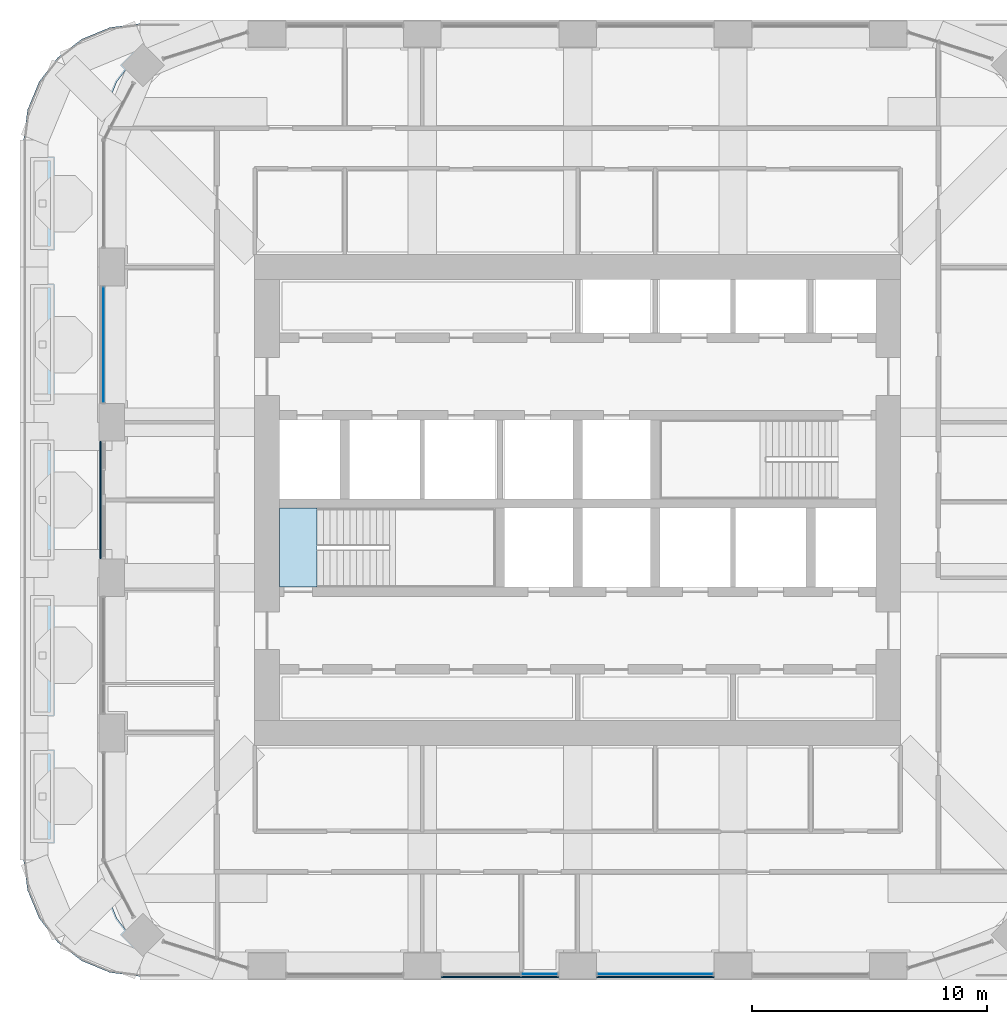
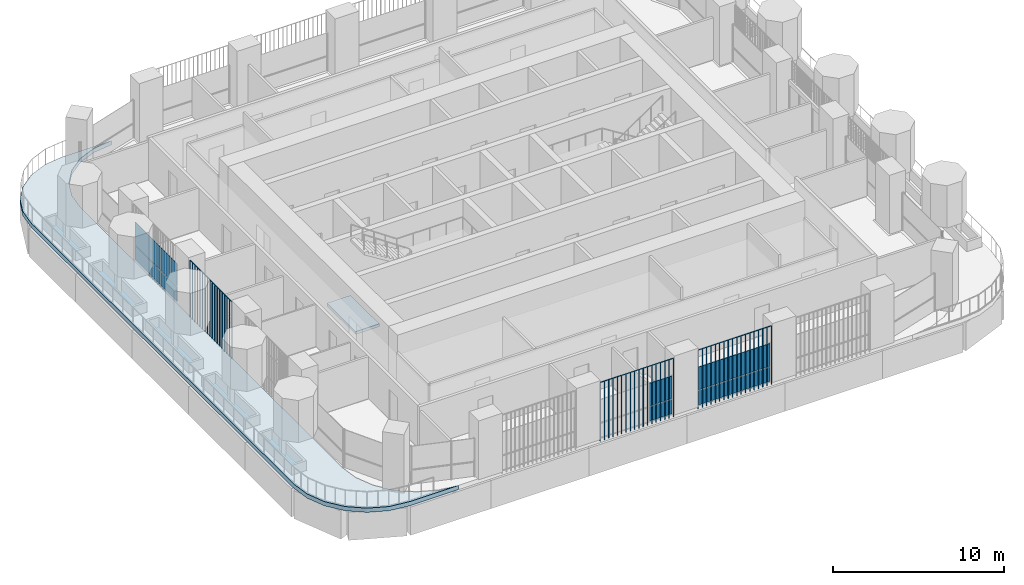
# One storey, part 9 of 24: 9 plates, 2 slabs, 4 elements without a shape of their own.
"""IFC4 building model written with IfcOpenShell, lengths in metres."""

from ifc_helpers import new_model, si_unit, direction, frame, origin, origin_2d, place, context, subcontext, project, spatial, polyline, rectangle, outline, extrude, material, layer, layer_set, type_object, element, aggregate, save


model = new_model("IFC4")

# Units and contexts
model_context = context("Model", 3, precision=1e-05, world=origin(), true_north=direction((0.0, 1.0)))
body_context = subcontext(model_context, "Body", "Model", "MODEL_VIEW")
ifc_project = project(units=[si_unit("LENGTHUNIT", "METRE"), si_unit("AREAUNIT", "SQUARE_METRE"), si_unit("VOLUMEUNIT", "CUBIC_METRE"), si_unit("PLANEANGLEUNIT", "RADIAN"), si_unit("MASSUNIT", "GRAM", prefix="KILO")], contexts=[model_context])

# Site, building, storey
site_placement = place(None, origin())
site = spatial("IfcSite", under=ifc_project, at=site_placement, CompositionType="ELEMENT")
building_placement = place(site_placement, origin())
building = spatial("IfcBuilding", under=site, at=building_placement, Name="Cobogo Forest Laboratory Tower", CompositionType="ELEMENT")
storey_placement = place(building_placement, frame((0.0, 0.0, 229.199951171875)))
storey = spatial("IfcBuildingStorey", under=building, at=storey_placement, Name="L52", CompositionType="ELEMENT", Elevation=229.199951171875)

# Curtain wall, plates
ifc_material_1 = material(Name="Aluminium curtain wall", Category="aluminium")
curtain_wall_type = type_object("IfcCurtainWallType", Name="CW-2 unitised curtain wall, solar control glazing, laboratory floors zones C and D", PredefinedType="USERDEFINED", material=ifc_material_1)
curtain_wall_1_placement = place(storey_placement, origin())
curtain_wall_1 = element("IfcCurtainWall", 1, at=curtain_wall_1_placement, inside=storey, type_object=curtain_wall_type, Name="Curtain wall 02 L52", ObjectType="UNITISED CURTAIN WALL", PredefinedType="USERDEFINED")
ifc_material_2 = material(Name="Solar control insulated glass", Category="glass")
ifc_layer_1 = layer(ifc_material_2, 0.031982421875)
ifc_layer_set_1 = layer_set([ifc_layer_1], Name="GP-2 solar control glass unit 32")
plate_type_1 = type_object("IfcPlateType", Name="GP-2 solar control glass unit 32", PredefinedType="CURTAIN_PANEL", material=ifc_layer_set_1)
plate_1_placement = place(storey_placement, frame((24.784912109375, 2.949951171875, 0.0), z_axis=(0.0, 0.0, 1.0), x_axis=(1.0, 0.0, 0.0)))
plate_1 = element("IfcPlate", 2, at=plate_1_placement, type_object=plate_type_1, Name="CW-2 panel 2.1", PredefinedType="CURTAIN_PANEL", context=body_context, shape_type="SweptSolid", body=[
    extrude(rectangle(XDim=1.510009765625, YDim=0.031982421875, at=origin_2d()), origin(), (0.0, 0.0, 1.0), 1.02001953125),
])
plate_2_placement = place(storey_placement, frame((24.784912109375, 2.949951171875, 1.080078125), z_axis=(0.0, 0.0, 1.0), x_axis=(1.0, 0.0, 0.0)))
plate_2 = element("IfcPlate", 3, at=plate_2_placement, type_object=plate_type_1, Name="CW-2 panel 2.2", PredefinedType="CURTAIN_PANEL", context=body_context, shape_type="SweptSolid", body=[
    extrude(rectangle(XDim=1.510009765625, YDim=0.031982421875, at=origin_2d()), origin(), (0.0, 0.0, 1.0), 1.6201171875),
])
aggregate(curtain_wall_1, [plate_1, plate_2])

curtain_wall_2_placement = place(storey_placement, origin())
curtain_wall_2 = element("IfcCurtainWall", 4, at=curtain_wall_2_placement, inside=storey, type_object=curtain_wall_type, Name="Curtain wall 03 L52", ObjectType="UNITISED CURTAIN WALL", PredefinedType="USERDEFINED")
plate_3_placement = place(storey_placement, frame((29.699951171875, 2.949951171875, 0.0), z_axis=(0.0, 0.0, 1.0), x_axis=(1.0, 0.0, 0.0)))
plate_3 = element("IfcPlate", 5, at=plate_3_placement, type_object=plate_type_1, Name="CW-2 panel 1.1", PredefinedType="CURTAIN_PANEL", context=body_context, shape_type="SweptSolid", body=[
    extrude(rectangle(XDim=4.8798828125, YDim=0.031982421875, at=origin_2d()), origin(), (0.0, 0.0, 1.0), 1.02001953125),
])
plate_4_placement = place(storey_placement, frame((29.699951171875, 2.949951171875, 1.080078125), z_axis=(0.0, 0.0, 1.0), x_axis=(1.0, 0.0, 0.0)))
plate_4 = element("IfcPlate", 6, at=plate_4_placement, type_object=plate_type_1, Name="CW-2 panel 1.2", PredefinedType="CURTAIN_PANEL", context=body_context, shape_type="SweptSolid", body=[
    extrude(rectangle(XDim=4.8798828125, YDim=0.031982421875, at=origin_2d()), origin(), (0.0, 0.0, 1.0), 1.6201171875),
])
aggregate(curtain_wall_2, [plate_3, plate_4])

curtain_wall_3_placement = place(storey_placement, origin())
curtain_wall_3 = element("IfcCurtainWall", 7, at=curtain_wall_3_placement, inside=storey, type_object=curtain_wall_type, Name="Curtain wall 21 L52", ObjectType="UNITISED CURTAIN WALL", PredefinedType="USERDEFINED")
plate_5_placement = place(storey_placement, frame((6.25, 29.699951171875, 0.0), z_axis=(0.0, 0.0, 1.0), x_axis=(0.0, -1.0, 0.0)))
plate_5 = element("IfcPlate", 8, at=plate_5_placement, type_object=plate_type_1, Name="CW-2 panel 1.1", PredefinedType="CURTAIN_PANEL", context=body_context, shape_type="SweptSolid", body=[
    extrude(rectangle(XDim=4.8798828125, YDim=0.031982421875, at=origin_2d()), origin(), (0.0, 0.0, 1.0), 1.02001953125),
])
plate_6_placement = place(storey_placement, frame((6.25, 29.699951171875, 1.080078125), z_axis=(0.0, 0.0, 1.0), x_axis=(0.0, -1.0, 0.0)))
plate_6 = element("IfcPlate", 9, at=plate_6_placement, type_object=plate_type_1, Name="CW-2 panel 1.2", PredefinedType="CURTAIN_PANEL", context=body_context, shape_type="SweptSolid", body=[
    extrude(rectangle(XDim=4.8798828125, YDim=0.031982421875, at=origin_2d()), origin(), (0.0, 0.0, 1.0), 1.6201171875),
])
aggregate(curtain_wall_3, [plate_5, plate_6])

# Stair, slab
ifc_material_3 = material(Name="Precast concrete HA-40 (C40/50)", Category="concrete")
stair_type = type_object("IfcStairType", Name="ST24 exit stair 24 risers", PredefinedType="HALF_TURN_STAIR", material=ifc_material_3)
stair_placement = place(storey_placement, origin())
stair = element("IfcStair", 10, at=stair_placement, inside=storey, type_object=stair_type, Name="Stair 1 L52 to L53", PredefinedType="HALF_TURN_STAIR")
ifc_material_4 = material(Name="Concrete HA-40 (C40/50)", Category="concrete")
ifc_layer_2 = layer(ifc_material_4, 0.199951171875)
ifc_layer_set_2 = layer_set([ifc_layer_2], Name="SL stair landing 200")
slab_type_1 = type_object("IfcSlabType", Name="SL stair landing 200", PredefinedType="LANDING", material=ifc_layer_set_2)
slab_1_placement = place(storey_placement, frame((0.0, 0.0, -0.199951171875)))
slab_1 = element("IfcSlab", 11, at=slab_1_placement, type_object=slab_type_1, Name="ST1 landing 1", PredefinedType="LANDING", context=body_context, shape_type="SweptSolid", body=[
    extrude(outline(polyline([(13.72509765625, 19.39990234375), (15.326904296875, 19.39990234375), (15.326904296875, 22.75), (13.72509765625, 22.75), (13.72509765625, 19.39990234375)])), origin(), (0.0, 0.0, 1.0), 0.199951171875),
])
aggregate(stair, [slab_1])

# Plates
ifc_material_5 = material(Name="Terracotta", Category="masonry")
plate_type_2 = type_object("IfcPlateType", Name="TB1 terracotta baguette screen", PredefinedType="USERDEFINED", material=ifc_material_5)
plate_7_placement = place(storey_placement, frame((20.63134765625, 2.822021484375, -0.14990234375)))
element("IfcPlate", 12, at=plate_7_placement, inside=storey, type_object=plate_type_2, Name="Baguette screen S2 L52", ObjectType="BAGUETTE SCREEN", PredefinedType="USERDEFINED", context=body_context, shape_type="SweptSolid", body=[
    extrude(outline(polyline([(0.02880859375, 0.011962890625), (0.011962890625, 0.02880859375), (-0.011962890625, 0.02880859375), (-0.02880859375, 0.011962890625), (-0.02880859375, -0.011962890625), (-0.011962890625, -0.02880859375), (0.011962890625, -0.02880859375), (0.02880859375, -0.011962890625), (0.02880859375, 0.011962890625)])), frame((0.0, 0.0, 4.168701171875), z_axis=(1.0, 0.0, 0.0), x_axis=(0.0, 1.0, 0.0)), (0.0, 0.0, 1.0), 4.9375),
    extrude(outline(polyline([(0.02880859375, 0.011962890625), (0.011962890625, 0.02880859375), (-0.011962890625, 0.02880859375), (-0.02880859375, 0.011962890625), (-0.02880859375, -0.011962890625), (-0.011962890625, -0.02880859375), (0.011962890625, -0.02880859375), (0.02880859375, -0.011962890625), (0.02880859375, 0.011962890625)])), origin(), (0.0, 0.0, 1.0), 4.137451171875),
    extrude(outline(polyline([(0.02880859375, 0.011962890625), (0.011962890625, 0.02880859375), (-0.011962890625, 0.02880859375), (-0.02880859375, 0.011962890625), (-0.02880859375, -0.011962890625), (-0.011962890625, -0.02880859375), (0.011962890625, -0.02880859375), (0.02880859375, -0.011962890625), (0.02880859375, 0.011962890625)])), frame((0.29052734375, 0.0, 0.0)), (0.0, 0.0, 1.0), 4.137451171875),
    extrude(outline(polyline([(0.02880859375, 0.011962890625), (0.011962890625, 0.02880859375), (-0.011962890625, 0.02880859375), (-0.02880859375, 0.011962890625), (-0.02880859375, -0.011962890625), (-0.011962890625, -0.02880859375), (0.011962890625, -0.02880859375), (0.02880859375, -0.011962890625), (0.02880859375, 0.011962890625)])), frame((0.580810546875, 0.0, 0.0)), (0.0, 0.0, 1.0), 4.137451171875),
    extrude(outline(polyline([(0.02880859375, 0.011962890625), (0.011962890625, 0.02880859375), (-0.011962890625, 0.02880859375), (-0.02880859375, 0.011962890625), (-0.02880859375, -0.011962890625), (-0.011962890625, -0.02880859375), (0.011962890625, -0.02880859375), (0.02880859375, -0.011962890625), (0.02880859375, 0.011962890625)])), frame((0.871337890625, 0.0, 0.0)), (0.0, 0.0, 1.0), 4.137451171875),
    extrude(outline(polyline([(0.02880859375, 0.011962890625), (0.011962890625, 0.02880859375), (-0.011962890625, 0.02880859375), (-0.02880859375, 0.011962890625), (-0.02880859375, -0.011962890625), (-0.011962890625, -0.02880859375), (0.011962890625, -0.02880859375), (0.02880859375, -0.011962890625), (0.02880859375, 0.011962890625)])), frame((1.161865234375, 0.0, 0.0)), (0.0, 0.0, 1.0), 4.137451171875),
    extrude(outline(polyline([(0.02880859375, 0.011962890625), (0.011962890625, 0.02880859375), (-0.011962890625, 0.02880859375), (-0.02880859375, 0.011962890625), (-0.02880859375, -0.011962890625), (-0.011962890625, -0.02880859375), (0.011962890625, -0.02880859375), (0.02880859375, -0.011962890625), (0.02880859375, 0.011962890625)])), frame((1.4521484375, 0.0, 0.0)), (0.0, 0.0, 1.0), 4.137451171875),
    extrude(outline(polyline([(0.02880859375, 0.011962890625), (0.011962890625, 0.02880859375), (-0.011962890625, 0.02880859375), (-0.02880859375, 0.011962890625), (-0.02880859375, -0.011962890625), (-0.011962890625, -0.02880859375), (0.011962890625, -0.02880859375), (0.02880859375, -0.011962890625), (0.02880859375, 0.011962890625)])), frame((1.74267578125, 0.0, 0.0)), (0.0, 0.0, 1.0), 4.137451171875),
    extrude(outline(polyline([(0.02880859375, 0.011962890625), (0.011962890625, 0.02880859375), (-0.011962890625, 0.02880859375), (-0.02880859375, 0.011962890625), (-0.02880859375, -0.011962890625), (-0.011962890625, -0.02880859375), (0.011962890625, -0.02880859375), (0.02880859375, -0.011962890625), (0.02880859375, 0.011962890625)])), frame((2.033203125, 0.0, 0.0)), (0.0, 0.0, 1.0), 4.137451171875),
    extrude(outline(polyline([(0.02880859375, 0.011962890625), (0.011962890625, 0.02880859375), (-0.011962890625, 0.02880859375), (-0.02880859375, 0.011962890625), (-0.02880859375, -0.011962890625), (-0.011962890625, -0.02880859375), (0.011962890625, -0.02880859375), (0.02880859375, -0.011962890625), (0.02880859375, 0.011962890625)])), frame((2.323486328125, 0.0, 0.0)), (0.0, 0.0, 1.0), 4.137451171875),
    extrude(outline(polyline([(0.02880859375, 0.011962890625), (0.011962890625, 0.02880859375), (-0.011962890625, 0.02880859375), (-0.02880859375, 0.011962890625), (-0.02880859375, -0.011962890625), (-0.011962890625, -0.02880859375), (0.011962890625, -0.02880859375), (0.02880859375, -0.011962890625), (0.02880859375, 0.011962890625)])), frame((2.614013671875, 0.0, 0.0)), (0.0, 0.0, 1.0), 4.137451171875),
    extrude(outline(polyline([(0.02880859375, 0.011962890625), (0.011962890625, 0.02880859375), (-0.011962890625, 0.02880859375), (-0.02880859375, 0.011962890625), (-0.02880859375, -0.011962890625), (-0.011962890625, -0.02880859375), (0.011962890625, -0.02880859375), (0.02880859375, -0.011962890625), (0.02880859375, 0.011962890625)])), frame((2.904296875, 0.0, 0.0)), (0.0, 0.0, 1.0), 4.137451171875),
    extrude(outline(polyline([(0.02880859375, 0.011962890625), (0.011962890625, 0.02880859375), (-0.011962890625, 0.02880859375), (-0.02880859375, 0.011962890625), (-0.02880859375, -0.011962890625), (-0.011962890625, -0.02880859375), (0.011962890625, -0.02880859375), (0.02880859375, -0.011962890625), (0.02880859375, 0.011962890625)])), frame((3.19482421875, 0.0, 0.0)), (0.0, 0.0, 1.0), 4.137451171875),
    extrude(outline(polyline([(0.02880859375, 0.011962890625), (0.011962890625, 0.02880859375), (-0.011962890625, 0.02880859375), (-0.02880859375, 0.011962890625), (-0.02880859375, -0.011962890625), (-0.011962890625, -0.02880859375), (0.011962890625, -0.02880859375), (0.02880859375, -0.011962890625), (0.02880859375, 0.011962890625)])), frame((3.4853515625, 0.0, 0.0)), (0.0, 0.0, 1.0), 4.137451171875),
    extrude(outline(polyline([(0.02880859375, 0.011962890625), (0.011962890625, 0.02880859375), (-0.011962890625, 0.02880859375), (-0.02880859375, 0.011962890625), (-0.02880859375, -0.011962890625), (-0.011962890625, -0.02880859375), (0.011962890625, -0.02880859375), (0.02880859375, -0.011962890625), (0.02880859375, 0.011962890625)])), frame((3.775634765625, 0.0, 0.0)), (0.0, 0.0, 1.0), 4.137451171875),
    extrude(outline(polyline([(0.02880859375, 0.011962890625), (0.011962890625, 0.02880859375), (-0.011962890625, 0.02880859375), (-0.02880859375, 0.011962890625), (-0.02880859375, -0.011962890625), (-0.011962890625, -0.02880859375), (0.011962890625, -0.02880859375), (0.02880859375, -0.011962890625), (0.02880859375, 0.011962890625)])), frame((4.066162109375, 0.0, 0.0)), (0.0, 0.0, 1.0), 4.137451171875),
    extrude(outline(polyline([(0.02880859375, 0.011962890625), (0.011962890625, 0.02880859375), (-0.011962890625, 0.02880859375), (-0.02880859375, 0.011962890625), (-0.02880859375, -0.011962890625), (-0.011962890625, -0.02880859375), (0.011962890625, -0.02880859375), (0.02880859375, -0.011962890625), (0.02880859375, 0.011962890625)])), frame((4.356689453125, 0.0, 0.0)), (0.0, 0.0, 1.0), 4.137451171875),
    extrude(outline(polyline([(0.02880859375, 0.011962890625), (0.011962890625, 0.02880859375), (-0.011962890625, 0.02880859375), (-0.02880859375, 0.011962890625), (-0.02880859375, -0.011962890625), (-0.011962890625, -0.02880859375), (0.011962890625, -0.02880859375), (0.02880859375, -0.011962890625), (0.02880859375, 0.011962890625)])), frame((4.64697265625, 0.0, 0.0)), (0.0, 0.0, 1.0), 4.137451171875),
    extrude(outline(polyline([(0.02880859375, 0.011962890625), (0.011962890625, 0.02880859375), (-0.011962890625, 0.02880859375), (-0.02880859375, 0.011962890625), (-0.02880859375, -0.011962890625), (-0.011962890625, -0.02880859375), (0.011962890625, -0.02880859375), (0.02880859375, -0.011962890625), (0.02880859375, 0.011962890625)])), frame((4.9375, 0.0, 0.0)), (0.0, 0.0, 1.0), 4.137451171875),
])
plate_8_placement = place(storey_placement, frame((27.231201171875, 2.822021484375, -0.14990234375)))
element("IfcPlate", 13, at=plate_8_placement, inside=storey, type_object=plate_type_2, Name="Baguette screen S3 L52", ObjectType="BAGUETTE SCREEN", PredefinedType="USERDEFINED", context=body_context, shape_type="SweptSolid", body=[
    extrude(outline(polyline([(0.02880859375, 0.011962890625), (0.011962890625, 0.02880859375), (-0.011962890625, 0.02880859375), (-0.02880859375, 0.011962890625), (-0.02880859375, -0.011962890625), (-0.011962890625, -0.02880859375), (0.011962890625, -0.02880859375), (0.02880859375, -0.011962890625), (0.02880859375, 0.011962890625)])), frame((0.0, 0.0, 4.168701171875), z_axis=(1.0, 0.0, 0.0), x_axis=(0.0, 1.0, 0.0)), (0.0, 0.0, 1.0), 4.9375),
    extrude(outline(polyline([(0.02880859375, 0.011962890625), (0.011962890625, 0.02880859375), (-0.011962890625, 0.02880859375), (-0.02880859375, 0.011962890625), (-0.02880859375, -0.011962890625), (-0.011962890625, -0.02880859375), (0.011962890625, -0.02880859375), (0.02880859375, -0.011962890625), (0.02880859375, 0.011962890625)])), origin(), (0.0, 0.0, 1.0), 4.137451171875),
    extrude(outline(polyline([(0.02880859375, 0.011962890625), (0.011962890625, 0.02880859375), (-0.011962890625, 0.02880859375), (-0.02880859375, 0.011962890625), (-0.02880859375, -0.011962890625), (-0.011962890625, -0.02880859375), (0.011962890625, -0.02880859375), (0.02880859375, -0.011962890625), (0.02880859375, 0.011962890625)])), frame((0.29052734375, 0.0, 0.0)), (0.0, 0.0, 1.0), 4.137451171875),
    extrude(outline(polyline([(0.02880859375, 0.011962890625), (0.011962890625, 0.02880859375), (-0.011962890625, 0.02880859375), (-0.02880859375, 0.011962890625), (-0.02880859375, -0.011962890625), (-0.011962890625, -0.02880859375), (0.011962890625, -0.02880859375), (0.02880859375, -0.011962890625), (0.02880859375, 0.011962890625)])), frame((0.580810546875, 0.0, 0.0)), (0.0, 0.0, 1.0), 4.137451171875),
    extrude(outline(polyline([(0.02880859375, 0.011962890625), (0.011962890625, 0.02880859375), (-0.011962890625, 0.02880859375), (-0.02880859375, 0.011962890625), (-0.02880859375, -0.011962890625), (-0.011962890625, -0.02880859375), (0.011962890625, -0.02880859375), (0.02880859375, -0.011962890625), (0.02880859375, 0.011962890625)])), frame((0.871337890625, 0.0, 0.0)), (0.0, 0.0, 1.0), 4.137451171875),
    extrude(outline(polyline([(0.02880859375, 0.011962890625), (0.011962890625, 0.02880859375), (-0.011962890625, 0.02880859375), (-0.02880859375, 0.011962890625), (-0.02880859375, -0.011962890625), (-0.011962890625, -0.02880859375), (0.011962890625, -0.02880859375), (0.02880859375, -0.011962890625), (0.02880859375, 0.011962890625)])), frame((1.161865234375, 0.0, 0.0)), (0.0, 0.0, 1.0), 4.137451171875),
    extrude(outline(polyline([(0.02880859375, 0.011962890625), (0.011962890625, 0.02880859375), (-0.011962890625, 0.02880859375), (-0.02880859375, 0.011962890625), (-0.02880859375, -0.011962890625), (-0.011962890625, -0.02880859375), (0.011962890625, -0.02880859375), (0.02880859375, -0.011962890625), (0.02880859375, 0.011962890625)])), frame((1.4521484375, 0.0, 0.0)), (0.0, 0.0, 1.0), 4.137451171875),
    extrude(outline(polyline([(0.02880859375, 0.011962890625), (0.011962890625, 0.02880859375), (-0.011962890625, 0.02880859375), (-0.02880859375, 0.011962890625), (-0.02880859375, -0.011962890625), (-0.011962890625, -0.02880859375), (0.011962890625, -0.02880859375), (0.02880859375, -0.011962890625), (0.02880859375, 0.011962890625)])), frame((1.74267578125, 0.0, 0.0)), (0.0, 0.0, 1.0), 4.137451171875),
    extrude(outline(polyline([(0.02880859375, 0.011962890625), (0.011962890625, 0.02880859375), (-0.011962890625, 0.02880859375), (-0.02880859375, 0.011962890625), (-0.02880859375, -0.011962890625), (-0.011962890625, -0.02880859375), (0.011962890625, -0.02880859375), (0.02880859375, -0.011962890625), (0.02880859375, 0.011962890625)])), frame((2.033203125, 0.0, 0.0)), (0.0, 0.0, 1.0), 4.137451171875),
    extrude(outline(polyline([(0.02880859375, 0.011962890625), (0.011962890625, 0.02880859375), (-0.011962890625, 0.02880859375), (-0.02880859375, 0.011962890625), (-0.02880859375, -0.011962890625), (-0.011962890625, -0.02880859375), (0.011962890625, -0.02880859375), (0.02880859375, -0.011962890625), (0.02880859375, 0.011962890625)])), frame((2.323486328125, 0.0, 0.0)), (0.0, 0.0, 1.0), 4.137451171875),
    extrude(outline(polyline([(0.02880859375, 0.011962890625), (0.011962890625, 0.02880859375), (-0.011962890625, 0.02880859375), (-0.02880859375, 0.011962890625), (-0.02880859375, -0.011962890625), (-0.011962890625, -0.02880859375), (0.011962890625, -0.02880859375), (0.02880859375, -0.011962890625), (0.02880859375, 0.011962890625)])), frame((2.614013671875, 0.0, 0.0)), (0.0, 0.0, 1.0), 4.137451171875),
    extrude(outline(polyline([(0.02880859375, 0.011962890625), (0.011962890625, 0.02880859375), (-0.011962890625, 0.02880859375), (-0.02880859375, 0.011962890625), (-0.02880859375, -0.011962890625), (-0.011962890625, -0.02880859375), (0.011962890625, -0.02880859375), (0.02880859375, -0.011962890625), (0.02880859375, 0.011962890625)])), frame((2.904296875, 0.0, 0.0)), (0.0, 0.0, 1.0), 4.137451171875),
    extrude(outline(polyline([(0.02880859375, 0.011962890625), (0.011962890625, 0.02880859375), (-0.011962890625, 0.02880859375), (-0.02880859375, 0.011962890625), (-0.02880859375, -0.011962890625), (-0.011962890625, -0.02880859375), (0.011962890625, -0.02880859375), (0.02880859375, -0.011962890625), (0.02880859375, 0.011962890625)])), frame((3.19482421875, 0.0, 0.0)), (0.0, 0.0, 1.0), 4.137451171875),
    extrude(outline(polyline([(0.02880859375, 0.011962890625), (0.011962890625, 0.02880859375), (-0.011962890625, 0.02880859375), (-0.02880859375, 0.011962890625), (-0.02880859375, -0.011962890625), (-0.011962890625, -0.02880859375), (0.011962890625, -0.02880859375), (0.02880859375, -0.011962890625), (0.02880859375, 0.011962890625)])), frame((3.4853515625, 0.0, 0.0)), (0.0, 0.0, 1.0), 4.137451171875),
    extrude(outline(polyline([(0.02880859375, 0.011962890625), (0.011962890625, 0.02880859375), (-0.011962890625, 0.02880859375), (-0.02880859375, 0.011962890625), (-0.02880859375, -0.011962890625), (-0.011962890625, -0.02880859375), (0.011962890625, -0.02880859375), (0.02880859375, -0.011962890625), (0.02880859375, 0.011962890625)])), frame((3.775634765625, 0.0, 0.0)), (0.0, 0.0, 1.0), 4.137451171875),
    extrude(outline(polyline([(0.02880859375, 0.011962890625), (0.011962890625, 0.02880859375), (-0.011962890625, 0.02880859375), (-0.02880859375, 0.011962890625), (-0.02880859375, -0.011962890625), (-0.011962890625, -0.02880859375), (0.011962890625, -0.02880859375), (0.02880859375, -0.011962890625), (0.02880859375, 0.011962890625)])), frame((4.066162109375, 0.0, 0.0)), (0.0, 0.0, 1.0), 4.137451171875),
    extrude(outline(polyline([(0.02880859375, 0.011962890625), (0.011962890625, 0.02880859375), (-0.011962890625, 0.02880859375), (-0.02880859375, 0.011962890625), (-0.02880859375, -0.011962890625), (-0.011962890625, -0.02880859375), (0.011962890625, -0.02880859375), (0.02880859375, -0.011962890625), (0.02880859375, 0.011962890625)])), frame((4.356689453125, 0.0, 0.0)), (0.0, 0.0, 1.0), 4.137451171875),
    extrude(outline(polyline([(0.02880859375, 0.011962890625), (0.011962890625, 0.02880859375), (-0.011962890625, 0.02880859375), (-0.02880859375, 0.011962890625), (-0.02880859375, -0.011962890625), (-0.011962890625, -0.02880859375), (0.011962890625, -0.02880859375), (0.02880859375, -0.011962890625), (0.02880859375, 0.011962890625)])), frame((4.64697265625, 0.0, 0.0)), (0.0, 0.0, 1.0), 4.137451171875),
    extrude(outline(polyline([(0.02880859375, 0.011962890625), (0.011962890625, 0.02880859375), (-0.011962890625, 0.02880859375), (-0.02880859375, 0.011962890625), (-0.02880859375, -0.011962890625), (-0.011962890625, -0.02880859375), (0.011962890625, -0.02880859375), (0.02880859375, -0.011962890625), (0.02880859375, 0.011962890625)])), frame((4.9375, 0.0, 0.0)), (0.0, 0.0, 1.0), 4.137451171875),
])
plate_9_placement = place(storey_placement, frame((6.1220703125, 20.63134765625, -0.14990234375)))
element("IfcPlate", 14, at=plate_9_placement, inside=storey, type_object=plate_type_2, Name="Baguette screen W2 L52", ObjectType="BAGUETTE SCREEN", PredefinedType="USERDEFINED", context=body_context, shape_type="SweptSolid", body=[
    extrude(outline(polyline([(0.02880859375, 0.011962890625), (0.011962890625, 0.02880859375), (-0.011962890625, 0.02880859375), (-0.02880859375, 0.011962890625), (-0.02880859375, -0.011962890625), (-0.011962890625, -0.02880859375), (0.011962890625, -0.02880859375), (0.02880859375, -0.011962890625), (0.02880859375, 0.011962890625)])), frame((0.0, 0.0, 4.168701171875), z_axis=(0.0, 1.0, 0.0), x_axis=(-1.0, 0.0, 0.0)), (0.0, 0.0, 1.0), 4.9375),
    extrude(outline(polyline([(0.02880859375, 0.011962890625), (0.011962890625, 0.02880859375), (-0.011962890625, 0.02880859375), (-0.02880859375, 0.011962890625), (-0.02880859375, -0.011962890625), (-0.011962890625, -0.02880859375), (0.011962890625, -0.02880859375), (0.02880859375, -0.011962890625), (0.02880859375, 0.011962890625)])), origin(), (0.0, 0.0, 1.0), 4.137451171875),
    extrude(outline(polyline([(0.02880859375, 0.011962890625), (0.011962890625, 0.02880859375), (-0.011962890625, 0.02880859375), (-0.02880859375, 0.011962890625), (-0.02880859375, -0.011962890625), (-0.011962890625, -0.02880859375), (0.011962890625, -0.02880859375), (0.02880859375, -0.011962890625), (0.02880859375, 0.011962890625)])), frame((0.0, 0.29052734375, 0.0)), (0.0, 0.0, 1.0), 4.137451171875),
    extrude(outline(polyline([(0.02880859375, 0.011962890625), (0.011962890625, 0.02880859375), (-0.011962890625, 0.02880859375), (-0.02880859375, 0.011962890625), (-0.02880859375, -0.011962890625), (-0.011962890625, -0.02880859375), (0.011962890625, -0.02880859375), (0.02880859375, -0.011962890625), (0.02880859375, 0.011962890625)])), frame((0.0, 0.580810546875, 0.0)), (0.0, 0.0, 1.0), 4.137451171875),
    extrude(outline(polyline([(0.02880859375, 0.011962890625), (0.011962890625, 0.02880859375), (-0.011962890625, 0.02880859375), (-0.02880859375, 0.011962890625), (-0.02880859375, -0.011962890625), (-0.011962890625, -0.02880859375), (0.011962890625, -0.02880859375), (0.02880859375, -0.011962890625), (0.02880859375, 0.011962890625)])), frame((0.0, 0.871337890625, 0.0)), (0.0, 0.0, 1.0), 4.137451171875),
    extrude(outline(polyline([(0.02880859375, 0.011962890625), (0.011962890625, 0.02880859375), (-0.011962890625, 0.02880859375), (-0.02880859375, 0.011962890625), (-0.02880859375, -0.011962890625), (-0.011962890625, -0.02880859375), (0.011962890625, -0.02880859375), (0.02880859375, -0.011962890625), (0.02880859375, 0.011962890625)])), frame((0.0, 1.161865234375, 0.0)), (0.0, 0.0, 1.0), 4.137451171875),
    extrude(outline(polyline([(0.02880859375, 0.011962890625), (0.011962890625, 0.02880859375), (-0.011962890625, 0.02880859375), (-0.02880859375, 0.011962890625), (-0.02880859375, -0.011962890625), (-0.011962890625, -0.02880859375), (0.011962890625, -0.02880859375), (0.02880859375, -0.011962890625), (0.02880859375, 0.011962890625)])), frame((0.0, 1.4521484375, 0.0)), (0.0, 0.0, 1.0), 4.137451171875),
    extrude(outline(polyline([(0.02880859375, 0.011962890625), (0.011962890625, 0.02880859375), (-0.011962890625, 0.02880859375), (-0.02880859375, 0.011962890625), (-0.02880859375, -0.011962890625), (-0.011962890625, -0.02880859375), (0.011962890625, -0.02880859375), (0.02880859375, -0.011962890625), (0.02880859375, 0.011962890625)])), frame((0.0, 1.74267578125, 0.0)), (0.0, 0.0, 1.0), 4.137451171875),
    extrude(outline(polyline([(0.02880859375, 0.011962890625), (0.011962890625, 0.02880859375), (-0.011962890625, 0.02880859375), (-0.02880859375, 0.011962890625), (-0.02880859375, -0.011962890625), (-0.011962890625, -0.02880859375), (0.011962890625, -0.02880859375), (0.02880859375, -0.011962890625), (0.02880859375, 0.011962890625)])), frame((0.0, 2.033203125, 0.0)), (0.0, 0.0, 1.0), 4.137451171875),
    extrude(outline(polyline([(0.02880859375, 0.011962890625), (0.011962890625, 0.02880859375), (-0.011962890625, 0.02880859375), (-0.02880859375, 0.011962890625), (-0.02880859375, -0.011962890625), (-0.011962890625, -0.02880859375), (0.011962890625, -0.02880859375), (0.02880859375, -0.011962890625), (0.02880859375, 0.011962890625)])), frame((0.0, 2.323486328125, 0.0)), (0.0, 0.0, 1.0), 4.137451171875),
    extrude(outline(polyline([(0.02880859375, 0.011962890625), (0.011962890625, 0.02880859375), (-0.011962890625, 0.02880859375), (-0.02880859375, 0.011962890625), (-0.02880859375, -0.011962890625), (-0.011962890625, -0.02880859375), (0.011962890625, -0.02880859375), (0.02880859375, -0.011962890625), (0.02880859375, 0.011962890625)])), frame((0.0, 2.614013671875, 0.0)), (0.0, 0.0, 1.0), 4.137451171875),
    extrude(outline(polyline([(0.02880859375, 0.011962890625), (0.011962890625, 0.02880859375), (-0.011962890625, 0.02880859375), (-0.02880859375, 0.011962890625), (-0.02880859375, -0.011962890625), (-0.011962890625, -0.02880859375), (0.011962890625, -0.02880859375), (0.02880859375, -0.011962890625), (0.02880859375, 0.011962890625)])), frame((0.0, 2.904296875, 0.0)), (0.0, 0.0, 1.0), 4.137451171875),
    extrude(outline(polyline([(0.02880859375, 0.011962890625), (0.011962890625, 0.02880859375), (-0.011962890625, 0.02880859375), (-0.02880859375, 0.011962890625), (-0.02880859375, -0.011962890625), (-0.011962890625, -0.02880859375), (0.011962890625, -0.02880859375), (0.02880859375, -0.011962890625), (0.02880859375, 0.011962890625)])), frame((0.0, 3.19482421875, 0.0)), (0.0, 0.0, 1.0), 4.137451171875),
    extrude(outline(polyline([(0.02880859375, 0.011962890625), (0.011962890625, 0.02880859375), (-0.011962890625, 0.02880859375), (-0.02880859375, 0.011962890625), (-0.02880859375, -0.011962890625), (-0.011962890625, -0.02880859375), (0.011962890625, -0.02880859375), (0.02880859375, -0.011962890625), (0.02880859375, 0.011962890625)])), frame((0.0, 3.4853515625, 0.0)), (0.0, 0.0, 1.0), 4.137451171875),
    extrude(outline(polyline([(0.02880859375, 0.011962890625), (0.011962890625, 0.02880859375), (-0.011962890625, 0.02880859375), (-0.02880859375, 0.011962890625), (-0.02880859375, -0.011962890625), (-0.011962890625, -0.02880859375), (0.011962890625, -0.02880859375), (0.02880859375, -0.011962890625), (0.02880859375, 0.011962890625)])), frame((0.0, 3.775634765625, 0.0)), (0.0, 0.0, 1.0), 4.137451171875),
    extrude(outline(polyline([(0.02880859375, 0.011962890625), (0.011962890625, 0.02880859375), (-0.011962890625, 0.02880859375), (-0.02880859375, 0.011962890625), (-0.02880859375, -0.011962890625), (-0.011962890625, -0.02880859375), (0.011962890625, -0.02880859375), (0.02880859375, -0.011962890625), (0.02880859375, 0.011962890625)])), frame((0.0, 4.066162109375, 0.0)), (0.0, 0.0, 1.0), 4.137451171875),
    extrude(outline(polyline([(0.02880859375, 0.011962890625), (0.011962890625, 0.02880859375), (-0.011962890625, 0.02880859375), (-0.02880859375, 0.011962890625), (-0.02880859375, -0.011962890625), (-0.011962890625, -0.02880859375), (0.011962890625, -0.02880859375), (0.02880859375, -0.011962890625), (0.02880859375, 0.011962890625)])), frame((0.0, 4.356689453125, 0.0)), (0.0, 0.0, 1.0), 4.137451171875),
    extrude(outline(polyline([(0.02880859375, 0.011962890625), (0.011962890625, 0.02880859375), (-0.011962890625, 0.02880859375), (-0.02880859375, 0.011962890625), (-0.02880859375, -0.011962890625), (-0.011962890625, -0.02880859375), (0.011962890625, -0.02880859375), (0.02880859375, -0.011962890625), (0.02880859375, 0.011962890625)])), frame((0.0, 4.64697265625, 0.0)), (0.0, 0.0, 1.0), 4.137451171875),
    extrude(outline(polyline([(0.02880859375, 0.011962890625), (0.011962890625, 0.02880859375), (-0.011962890625, 0.02880859375), (-0.02880859375, 0.011962890625), (-0.02880859375, -0.011962890625), (-0.011962890625, -0.02880859375), (0.011962890625, -0.02880859375), (0.02880859375, -0.011962890625), (0.02880859375, 0.011962890625)])), frame((0.0, 4.9375, 0.0)), (0.0, 0.0, 1.0), 4.137451171875),
])

# Slab
ifc_layer_3 = layer(ifc_material_4, 0.300048828125)
ifc_layer_set_3 = layer_set([ifc_layer_3], Name="Terrace slab 300")
slab_type_2 = type_object("IfcSlabType", Name="Terrace slab 300", PredefinedType="FLOOR", material=ifc_layer_set_3)
slab_2_placement = place(storey_placement, frame((0.0, 0.0, -0.300048828125)))
element("IfcSlab", 15, at=slab_2_placement, inside=storey, type_object=slab_type_2, Name="Setback terrace W L52", PredefinedType="FLOOR", context=body_context, shape_type="SweptSolid", body=[
    extrude(outline(polyline([(7.800048828125, 2.85009765625), (11.10009765625, 2.85009765625), (9.81884765625, 3.0185546875), (8.625, 3.51318359375), (7.599853515625, 4.2998046875), (6.813232421875, 5.324951171875), (6.318603515625, 6.518798828125), (6.14990234375, 7.800048828125), (6.14990234375, 38.39990234375), (6.318603515625, 39.68115234375), (6.813232421875, 40.875), (7.599853515625, 41.900146484375), (8.625, 42.686767578125), (9.81884765625, 43.181396484375), (11.10009765625, 43.35009765625), (7.800048828125, 43.35009765625), (6.518798828125, 43.181396484375), (5.324951171875, 42.686767578125), (4.2998046875, 41.900146484375), (3.51318359375, 40.875), (3.0185546875, 39.68115234375), (2.85009765625, 38.39990234375), (2.85009765625, 7.800048828125), (3.0185546875, 6.518798828125), (3.51318359375, 5.324951171875), (4.2998046875, 4.2998046875), (5.324951171875, 3.51318359375), (6.518798828125, 3.0185546875), (7.800048828125, 2.85009765625)])), origin(), (0.0, 0.0, 1.0), 0.300048828125),
])

save(model, "model.ifc")
